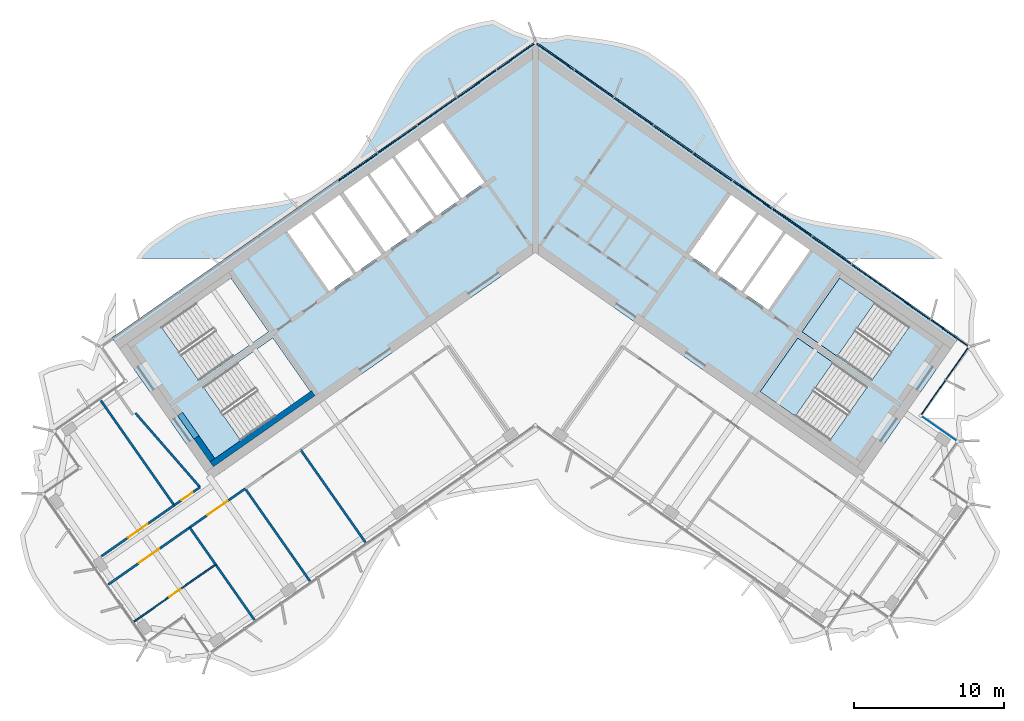
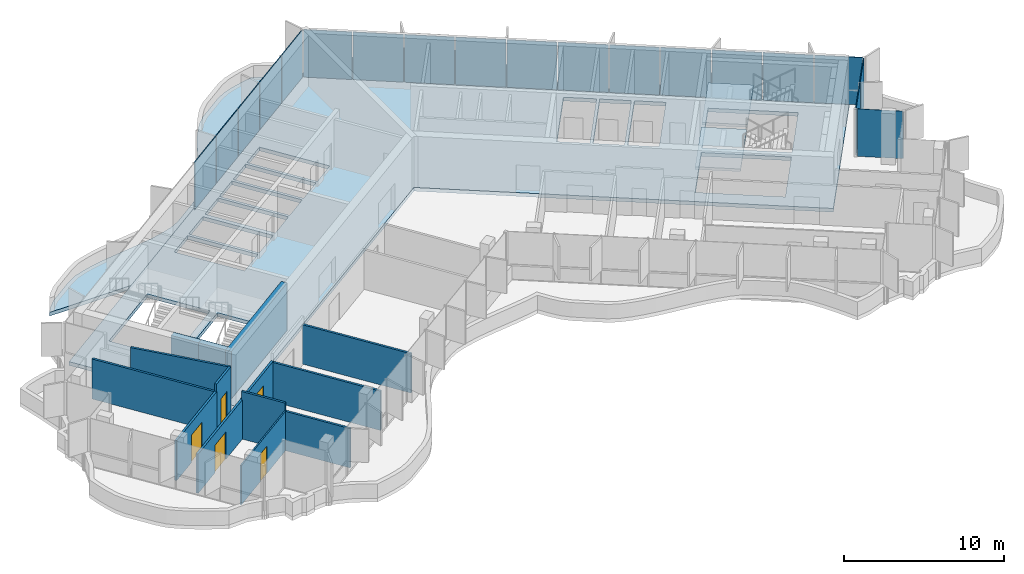
# One storey, part 8 of 17: 19 plates, 14 walls, 5 doors, 4 slabs, 5 openings, 4 elements without a shape of their own.
"""IFC4 building model written with IfcOpenShell, lengths in metres."""

from ifc_helpers import new_model, si_unit, direction, frame, frame_2d, origin, origin_2d, place, context, subcontext, project, spatial, polyline, rectangle, outline, extrude, material, layer, layer_set, type_object, element, fill, aggregate, save


model = new_model("IFC4")

# Units and contexts
model_context = context("Model", 3, precision=1e-05, world=origin(), true_north=direction((0.0, 1.0)))
body_context = subcontext(model_context, "Body", "Model", "MODEL_VIEW")
ifc_project = project(units=[si_unit("LENGTHUNIT", "METRE"), si_unit("AREAUNIT", "SQUARE_METRE"), si_unit("VOLUMEUNIT", "CUBIC_METRE"), si_unit("PLANEANGLEUNIT", "RADIAN"), si_unit("MASSUNIT", "GRAM", prefix="KILO")], contexts=[model_context])

# Site, building, storey
site_placement = place(None, origin())
site = spatial("IfcSite", under=ifc_project, at=site_placement, CompositionType="ELEMENT")
building_placement = place(site_placement, origin())
building = spatial("IfcBuilding", under=site, at=building_placement, Name="Tel Ilan Convention Tower", CompositionType="ELEMENT")
storey_placement = place(building_placement, frame((0.0, 0.0, 283.89990234375)))
storey = spatial("IfcBuildingStorey", under=building, at=storey_placement, Name="L67", CompositionType="ELEMENT", Elevation=283.89990234375)

# Curtain wall, plates
ifc_material_1 = material(Name="Aluminium, bronze anodised", Category="aluminium")
curtain_wall_type_1 = type_object("IfcCurtainWallType", Name="CW2 STICK CURTAIN WALL, SPANDREL PANELS", PredefinedType="NOTDEFINED", material=ifc_material_1)
curtain_wall_1_placement = place(storey_placement, origin())
curtain_wall_1 = element("IfcCurtainWall", 1, at=curtain_wall_1_placement, inside=storey, type_object=curtain_wall_type_1, Name="Curtain wall CW2-50.01", PredefinedType="NOTDEFINED")
ifc_material_2 = material(Name="Aluminium composite panel, bronze anodised", Category="aluminium")
ifc_layer_1 = layer(ifc_material_2, 0.06005859375)
ifc_layer_set_1 = layer_set([ifc_layer_1], Name="CW SPANDREL PANEL 60")
plate_type_1 = type_object("IfcPlateType", Name="CW SPANDREL PANEL 60", PredefinedType="CURTAIN_PANEL", material=ifc_layer_set_1)
plate_1_placement = place(storey_placement, frame((26.45947265625, -10.85400390625, 0.0), z_axis=(0.0, 0.0, 1.0), x_axis=(0.573576436351, 0.819152044289, 0.0)))
plate_1 = element("IfcPlate", 2, at=plate_1_placement, type_object=plate_type_1, Name="Spandrel panel", PredefinedType="CURTAIN_PANEL", context=body_context, shape_type="SweptSolid", body=[
    extrude(rectangle(XDim=2.76904296875, YDim=0.06005859375, at=origin_2d()), origin(), (0.0, 0.0, 1.0), 3.6201171875),
])
plate_2_placement = place(storey_placement, frame((28.042236328125, -8.593505859375, 0.0), z_axis=(0.0, 0.0, 1.0), x_axis=(0.573576436351, 0.819152044289, 0.0)))
plate_2 = element("IfcPlate", 3, at=plate_2_placement, type_object=plate_type_1, Name="Spandrel panel", PredefinedType="CURTAIN_PANEL", context=body_context, shape_type="SweptSolid", body=[
    extrude(rectangle(XDim=2.6298828125, YDim=0.06005859375, at=origin_2d()), origin(), (0.0, 0.0, 1.0), 3.6201171875),
])
plate_3_placement = place(storey_placement, frame((27.5400390625, -6.587646484375, 0.0), z_axis=(0.0, 0.0, 1.0), x_axis=(-0.819152044289, 0.573576436351, 0.0)))
plate_3 = element("IfcPlate", 4, at=plate_3_placement, type_object=plate_type_1, Name="Spandrel panel", PredefinedType="CURTAIN_PANEL", context=body_context, shape_type="SweptSolid", body=[
    extrude(rectangle(XDim=3.0439453125, YDim=0.06005859375, at=origin_2d()), origin(), (0.0, 0.0, 1.0), 3.6201171875),
])
plate_4_placement = place(storey_placement, frame((24.95263671875, -4.77587890625, 0.0), z_axis=(0.0, 0.0, 1.0), x_axis=(-0.819152044289, 0.573576436351, 0.0)))
plate_4 = element("IfcPlate", 5, at=plate_4_placement, type_object=plate_type_1, Name="Spandrel panel", PredefinedType="CURTAIN_PANEL", context=body_context, shape_type="SweptSolid", body=[
    extrude(rectangle(XDim=3.15380859375, YDim=0.06005859375, at=origin_2d()), origin(), (0.0, 0.0, 1.0), 3.6201171875),
])
plate_5_placement = place(storey_placement, frame((22.31982421875, -2.9326171875, 0.0), z_axis=(0.0, 0.0, 1.0), x_axis=(-0.819152044289, 0.573576436351, 0.0)))
plate_5 = element("IfcPlate", 6, at=plate_5_placement, type_object=plate_type_1, Name="Spandrel panel", PredefinedType="CURTAIN_PANEL", context=body_context, shape_type="SweptSolid", body=[
    extrude(rectangle(XDim=3.15380859375, YDim=0.06005859375, at=origin_2d()), origin(), (0.0, 0.0, 1.0), 3.6201171875),
])
plate_6_placement = place(storey_placement, frame((19.687255859375, -1.089111328125, 0.0), z_axis=(0.0, 0.0, 1.0), x_axis=(-0.819152044289, 0.573576436351, 0.0)))
plate_6 = element("IfcPlate", 7, at=plate_6_placement, type_object=plate_type_1, Name="Spandrel panel", PredefinedType="CURTAIN_PANEL", context=body_context, shape_type="SweptSolid", body=[
    extrude(rectangle(XDim=3.15380859375, YDim=0.06005859375, at=origin_2d()), origin(), (0.0, 0.0, 1.0), 3.6201171875),
])
plate_7_placement = place(storey_placement, frame((17.0546875, 0.754150390625, 0.0), z_axis=(0.0, 0.0, 1.0), x_axis=(-0.819152044289, 0.573576436351, 0.0)))
plate_7 = element("IfcPlate", 8, at=plate_7_placement, type_object=plate_type_1, Name="Spandrel panel", PredefinedType="CURTAIN_PANEL", context=body_context, shape_type="SweptSolid", body=[
    extrude(rectangle(XDim=3.15380859375, YDim=0.06005859375, at=origin_2d()), origin(), (0.0, 0.0, 1.0), 3.6201171875),
])
plate_8_placement = place(storey_placement, frame((14.422119140625, 2.59765625, 0.0), z_axis=(0.0, 0.0, 1.0), x_axis=(-0.819152044289, 0.573576436351, 0.0)))
plate_8 = element("IfcPlate", 9, at=plate_8_placement, type_object=plate_type_1, Name="Spandrel panel", PredefinedType="CURTAIN_PANEL", context=body_context, shape_type="SweptSolid", body=[
    extrude(rectangle(XDim=3.15380859375, YDim=0.06005859375, at=origin_2d()), origin(), (0.0, 0.0, 1.0), 3.6201171875),
])
plate_9_placement = place(storey_placement, frame((11.789306640625, 4.44091796875, 0.0), z_axis=(0.0, 0.0, 1.0), x_axis=(-0.819152044289, 0.573576436351, 0.0)))
plate_9 = element("IfcPlate", 10, at=plate_9_placement, type_object=plate_type_1, Name="Spandrel panel", PredefinedType="CURTAIN_PANEL", context=body_context, shape_type="SweptSolid", body=[
    extrude(rectangle(XDim=3.15380859375, YDim=0.06005859375, at=origin_2d()), origin(), (0.0, 0.0, 1.0), 3.6201171875),
])
plate_10_placement = place(storey_placement, frame((9.15673828125, 6.284423828125, 0.0), z_axis=(0.0, 0.0, 1.0), x_axis=(-0.819152044289, 0.573576436351, 0.0)))
plate_10 = element("IfcPlate", 11, at=plate_10_placement, type_object=plate_type_1, Name="Spandrel panel", PredefinedType="CURTAIN_PANEL", context=body_context, shape_type="SweptSolid", body=[
    extrude(rectangle(XDim=3.15380859375, YDim=0.06005859375, at=origin_2d()), origin(), (0.0, 0.0, 1.0), 3.6201171875),
])
plate_11_placement = place(storey_placement, frame((6.524169921875, 8.127685546875, 0.0), z_axis=(0.0, 0.0, 1.0), x_axis=(-0.819152044289, 0.573576436351, 0.0)))
plate_11 = element("IfcPlate", 12, at=plate_11_placement, type_object=plate_type_1, Name="Spandrel panel", PredefinedType="CURTAIN_PANEL", context=body_context, shape_type="SweptSolid", body=[
    extrude(rectangle(XDim=3.15380859375, YDim=0.06005859375, at=origin_2d()), origin(), (0.0, 0.0, 1.0), 3.6201171875),
])
plate_12_placement = place(storey_placement, frame((3.8916015625, 9.97119140625, 0.0), z_axis=(0.0, 0.0, 1.0), x_axis=(-0.819152044289, 0.573576436351, 0.0)))
plate_12 = element("IfcPlate", 13, at=plate_12_placement, type_object=plate_type_1, Name="Spandrel panel", PredefinedType="CURTAIN_PANEL", context=body_context, shape_type="SweptSolid", body=[
    extrude(rectangle(XDim=3.15380859375, YDim=0.06005859375, at=origin_2d()), origin(), (0.0, 0.0, 1.0), 3.6201171875),
])
plate_13_placement = place(storey_placement, frame((1.303955078125, 11.782958984375, 0.0), z_axis=(0.0, 0.0, 1.0), x_axis=(-0.819152044289, 0.573576436351, 0.0)))
plate_13 = element("IfcPlate", 14, at=plate_13_placement, type_object=plate_type_1, Name="Spandrel panel", PredefinedType="CURTAIN_PANEL", context=body_context, shape_type="SweptSolid", body=[
    extrude(rectangle(XDim=3.0439453125, YDim=0.06005859375, at=origin_2d()), origin(), (0.0, 0.0, 1.0), 3.6201171875),
])
plate_14_placement = place(storey_placement, frame((-1.303955078125, 11.782958984375, 0.0), z_axis=(0.0, 0.0, 1.0), x_axis=(-0.819152044289, -0.573576436351, 0.0)))
plate_14 = element("IfcPlate", 15, at=plate_14_placement, type_object=plate_type_1, Name="Spandrel panel", PredefinedType="CURTAIN_PANEL", context=body_context, shape_type="SweptSolid", body=[
    extrude(rectangle(XDim=3.0439453125, YDim=0.06005859375, at=origin_2d()), origin(), (0.0, 0.0, 1.0), 3.6201171875),
])
plate_15_placement = place(storey_placement, frame((-3.8916015625, 9.97119140625, 0.0), z_axis=(0.0, 0.0, 1.0), x_axis=(-0.819152044289, -0.573576436351, 0.0)))
plate_15 = element("IfcPlate", 16, at=plate_15_placement, type_object=plate_type_1, Name="Spandrel panel", PredefinedType="CURTAIN_PANEL", context=body_context, shape_type="SweptSolid", body=[
    extrude(rectangle(XDim=3.15380859375, YDim=0.06005859375, at=origin_2d()), origin(), (0.0, 0.0, 1.0), 3.6201171875),
])
plate_16_placement = place(storey_placement, frame((-6.524169921875, 8.127685546875, 0.0), z_axis=(0.0, 0.0, 1.0), x_axis=(-0.819152044289, -0.573576436351, 0.0)))
plate_16 = element("IfcPlate", 17, at=plate_16_placement, type_object=plate_type_1, Name="Spandrel panel", PredefinedType="CURTAIN_PANEL", context=body_context, shape_type="SweptSolid", body=[
    extrude(rectangle(XDim=3.15380859375, YDim=0.06005859375, at=origin_2d()), origin(), (0.0, 0.0, 1.0), 3.6201171875),
])
plate_17_placement = place(storey_placement, frame((-9.15673828125, 6.284423828125, 0.0), z_axis=(0.0, 0.0, 1.0), x_axis=(-0.819152044289, -0.573576436351, 0.0)))
plate_17 = element("IfcPlate", 18, at=plate_17_placement, type_object=plate_type_1, Name="Spandrel panel", PredefinedType="CURTAIN_PANEL", context=body_context, shape_type="SweptSolid", body=[
    extrude(rectangle(XDim=3.15380859375, YDim=0.06005859375, at=origin_2d()), origin(), (0.0, 0.0, 1.0), 3.6201171875),
])
plate_18_placement = place(storey_placement, frame((-11.789306640625, 4.44091796875, 0.0), z_axis=(0.0, 0.0, 1.0), x_axis=(-0.819152044289, -0.573576436351, 0.0)))
plate_18 = element("IfcPlate", 19, at=plate_18_placement, type_object=plate_type_1, Name="Spandrel panel", PredefinedType="CURTAIN_PANEL", context=body_context, shape_type="SweptSolid", body=[
    extrude(rectangle(XDim=3.15380859375, YDim=0.06005859375, at=origin_2d()), origin(), (0.0, 0.0, 1.0), 3.6201171875),
])
aggregate(curtain_wall_1, [plate_1, plate_2, plate_3, plate_4, plate_5, plate_6, plate_7, plate_8, plate_9, plate_10, plate_11, plate_12, plate_13, plate_14, plate_15, plate_16, plate_17, plate_18])

# Curtain wall, plate
ifc_material_3 = material(Name="Aluminium, bronze anodised", Category="aluminium")
curtain_wall_type_2 = type_object("IfcCurtainWallType", Name="CW5 STICK CURTAIN WALL, UPPER OFFICE LOW-IRON TINTED GLASS", PredefinedType="NOTDEFINED", material=ifc_material_3)
curtain_wall_2_placement = place(storey_placement, origin())
curtain_wall_2 = element("IfcCurtainWall", 20, at=curtain_wall_2_placement, inside=storey, type_object=curtain_wall_type_2, Name="Curtain wall CW5-50.02", PredefinedType="NOTDEFINED")
ifc_material_4 = material(Name="Glass, low-iron bronze tinted, two-ply", Category="glass")
ifc_layer_2 = layer(ifc_material_4, 0.031982421875)
ifc_layer_set_2 = layer_set([ifc_layer_2], Name="CW UPPER GLASS PANEL 32")
plate_type_2 = type_object("IfcPlateType", Name="CW UPPER GLASS PANEL 32", PredefinedType="CURTAIN_PANEL", material=ifc_layer_set_2)
plate_19_placement = place(storey_placement, frame((26.86767578125, -12.953369140625, 0.0), z_axis=(0.0, 0.0, 1.0), x_axis=(-0.819152044289, 0.573576436351, 0.0)))
plate_19 = element("IfcPlate", 21, at=plate_19_placement, type_object=plate_type_2, Name="Glass panel", PredefinedType="CURTAIN_PANEL", context=body_context, shape_type="SweptSolid", body=[
    extrude(rectangle(XDim=2.875, YDim=0.028076171875, at=origin_2d()), origin(), (0.0, 0.0, 1.0), 3.6201171875),
])
aggregate(curtain_wall_2, [plate_19])

# Stair, slab
ifc_material_5 = material(Name="Concrete C40/50", Category="concrete")
stair_type = type_object("IfcStairType", Name="Pressurised Exit Stair 22 risers 177 mm", PredefinedType="HALF_TURN_STAIR", material=ifc_material_5)
stair_1_placement = place(storey_placement, origin())
stair_1 = element("IfcStair", 22, at=stair_1_placement, inside=storey, type_object=stair_type, Name="L67 Pressurised Stair S3", PredefinedType="HALF_TURN_STAIR")
ifc_material_6 = material(Name="Concrete C40/50", Category="concrete")
ifc_layer_3 = layer(ifc_material_6, 0.199951171875)
ifc_layer_set_3 = layer_set([ifc_layer_3], Name="Concrete Stair Landing 200 mm C40/50")
slab_type_1 = type_object("IfcSlabType", Name="Concrete Stair Landing 200 mm", PredefinedType="LANDING", material=ifc_layer_set_3)
slab_1_placement = place(storey_placement, frame((0.0, 0.0, 1.75)))
slab_1 = element("IfcSlab", 23, at=slab_1_placement, type_object=slab_type_1, Name="S3 landing 1", PredefinedType="LANDING", context=body_context, shape_type="SweptSolid", body=[
    extrude(outline(polyline([(22.561767578125, -4.566650390625), (20.226318359375, -2.931640625), (17.7314453125, -6.494873046875), (20.066650390625, -8.130126953125), (22.561767578125, -4.566650390625)])), origin(), (0.0, 0.0, 1.0), 0.2001953125),
])
aggregate(stair_1, [slab_1])

stair_2_placement = place(storey_placement, origin())
stair_2 = element("IfcStair", 24, at=stair_2_placement, inside=storey, type_object=stair_type, Name="L67 Pressurised Stair S4", PredefinedType="HALF_TURN_STAIR")
slab_2_placement = place(storey_placement, frame((0.0, 0.0, 1.75)))
slab_2 = element("IfcSlab", 25, at=slab_2_placement, type_object=slab_type_1, Name="S4 landing 1", PredefinedType="LANDING", context=body_context, shape_type="SweptSolid", body=[
    extrude(outline(polyline([(19.77978515625, -8.53955078125), (17.444580078125, -6.904541015625), (14.949462890625, -10.4677734375), (17.28466796875, -12.10302734375), (19.77978515625, -8.53955078125)])), origin(), (0.0, 0.0, 1.0), 0.2001953125),
])
aggregate(stair_2, [slab_2])

# Slabs
ifc_material_7 = material(Name="Concrete C40/50", Category="concrete")
ifc_layer_4 = layer(ifc_material_7, 0.280029296875)
ifc_layer_set_4 = layer_set([ifc_layer_4], Name="Core Floor Slab 280 mm C40/50")
slab_type_2 = type_object("IfcSlabType", Name="Core Floor Slab 280 mm C40/50", PredefinedType="FLOOR", material=ifc_layer_set_4)
slab_3_placement = place(storey_placement, frame((0.0, 0.0, -0.27978515625)))
element("IfcSlab", 26, at=slab_3_placement, inside=storey, type_object=slab_type_2, Name="L67 core floor 1", PredefinedType="FLOOR", context=body_context, shape_type="SweptSolid", body=[
    extrude(outline(polyline([(0.0, 12.818115234375), (28.1396484375, -6.885498046875), (21.54345703125, -16.3056640625), (0.0, -1.220703125), (-21.54345703125, -16.3056640625), (-28.1396484375, -6.885498046875), (-13.013916015625, 3.705810546875), (-6.48876953125, 8.274658203125), (-4.6650390625, 9.5517578125), (-0.2412109375, 12.6494140625), (0.0, 12.818115234375)]), holes=[polyline([(-17.444580078125, -6.904541015625), (-22.072021484375, -10.144775390625), (-19.5771484375, -13.7080078125), (-14.949462890625, -10.4677734375), (-17.444580078125, -6.904541015625)]), polyline([(-17.7314453125, -6.494873046875), (-20.226318359375, -2.931640625), (-24.85400390625, -6.171875), (-22.35888671875, -9.735107421875), (-17.7314453125, -6.494873046875)]), polyline([(-14.864990234375, 1.310791015625), (-16.48291015625, 0.177978515625), (-13.701171875, -3.794921875), (-12.083251953125, -2.662109375), (-14.864990234375, 1.310791015625)]), polyline([(-14.701416015625, 1.425537109375), (-11.91943359375, -2.54736328125), (-10.2197265625, -1.357421875), (-13.001708984375, 2.615478515625), (-14.701416015625, 1.425537109375)]), polyline([(-11.168701171875, 3.89892578125), (-12.755859375, 2.78759765625), (-9.97412109375, -1.185302734375), (-8.386962890625, -0.073974609375), (-11.168701171875, 3.89892578125)]), polyline([(-9.499755859375, 5.067626953125), (-11.0048828125, 4.013671875), (-8.222900390625, 0.040771484375), (-6.718017578125, 1.0947265625), (-9.499755859375, 5.067626953125)]), polyline([(-9.3359375, 5.182373046875), (-6.553955078125, 1.20947265625), (-5.048828125, 2.263427734375), (-7.830810546875, 6.236328125), (-9.3359375, 5.182373046875)]), polyline([(17.444580078125, -6.904541015625), (14.949462890625, -10.4677734375), (19.5771484375, -13.7080078125), (22.072021484375, -10.144775390625), (17.444580078125, -6.904541015625)]), polyline([(20.226318359375, -2.931640625), (17.7314453125, -6.494873046875), (22.35888671875, -9.735107421875), (24.85400390625, -6.171875), (20.226318359375, -2.931640625)]), polyline([(15.48291015625, -5.04248046875), (18.2646484375, -1.069580078125), (16.646728515625, 0.063232421875), (13.864990234375, -3.90966796875), (15.48291015625, -5.04248046875)]), polyline([(13.701171875, -3.794921875), (16.48291015625, 0.177978515625), (14.864990234375, 1.310791015625), (12.083251953125, -2.662109375), (13.701171875, -3.794921875)]), polyline([(11.91943359375, -2.54736328125), (14.701416015625, 1.425537109375), (13.001708984375, 2.615478515625), (10.2197265625, -1.357421875), (11.91943359375, -2.54736328125)]), polyline([(-6.16162109375, 7.405029296875), (-7.666748046875, 6.35107421875), (-4.885009765625, 2.378173828125), (-3.3798828125, 3.43212890625), (-6.16162109375, 7.405029296875)])]), origin(), (0.0, 0.0, 1.0), 0.27978515625),
])
ifc_material_8 = material(Name="Concrete C40/50", Category="concrete")
ifc_layer_5 = layer(ifc_material_8, 0.280029296875)
ifc_layer_set_5 = layer_set([ifc_layer_5], Name="Edge Ledge Slab 280 mm C40/50")
slab_type_3 = type_object("IfcSlabType", Name="Edge Ledge Slab 280 mm C40/50", PredefinedType="FLOOR", material=ifc_layer_set_5)
slab_4_placement = place(storey_placement, frame((0.0, 0.0, -0.27978515625)))
element("IfcSlab", 27, at=slab_4_placement, inside=storey, type_object=slab_type_3, Name="L67 edge ledge 2", PredefinedType="FLOOR", context=body_context, shape_type="SweptSolid", body=[
    extrude(outline(polyline([(-23.1982421875, 1.006591796875), (-22.4697265625, 1.250244140625), (-21.705322265625, 1.44287109375), (-20.91259765625, 1.594482421875), (-20.099365234375, 1.71728515625), (-19.275146484375, 1.824462890625), (-18.44970703125, 1.9296875), (-17.6328125, 2.047119140625), (-16.833984375, 2.18994140625), (-16.0615234375, 2.37109375), (-15.3232421875, 2.6005859375), (-14.651611328125, 2.92529296875), (-12.841552734375, 4.192626953125), (-12.284912109375, 4.681640625), (-11.809326171875, 5.28662109375), (-11.369140625, 5.94189453125), (-10.956787109375, 6.63720703125), (-10.564453125, 7.36083984375), (-10.182373046875, 8.09912109375), (-9.80078125, 8.83837890625), (-9.410400390625, 9.564697265625), (-9.001220703125, 10.264404296875), (-8.56494140625, 10.925537109375), (-8.094482421875, 11.53759765625), (-7.552001953125, 12.047119140625), (-5.7421875, 13.314208984375), (-5.0849609375, 13.66015625), (-4.3515625, 13.896484375), (-3.5830078125, 14.083251953125), (-2.785888671875, 14.228515625), (-1.357666015625, 13.472900390625), (-0.172119140625, 13.06396484375), (-0.168701171875, 13.05908203125), (-0.11474609375, 13.09521484375), (0.0, 13.1181640625), (0.11474609375, 13.09521484375), (0.168701171875, 13.05908203125), (0.172119140625, 13.06396484375), (1.02001953125, 12.99072265625), (2.08935546875, 13.234130859375), (2.913818359375, 13.12744140625), (3.739501953125, 13.0224609375), (4.55712890625, 12.90625), (5.357666015625, 12.765380859375), (6.132080078125, 12.587158203125), (6.872802734375, 12.361083984375), (7.552001953125, 12.047119140625), (9.36181640625, 10.77978515625), (9.925537109375, 10.300537109375), (10.403564453125, 9.69921875), (10.845947265625, 9.046875), (11.259521484375, 8.353515625), (11.653076171875, 7.631591796875), (12.035400390625, 6.893798828125), (12.416748046875, 6.154052734375), (12.806396484375, 5.426513671875), (13.214111328125, 4.724609375), (13.648193359375, 4.060791015625), (14.116455078125, 3.4453125), (14.651611328125, 2.92529296875), (16.46142578125, 1.657958984375), (17.111328125, 1.30224609375), (17.84228515625, 1.062255859375), (18.60888671875, 0.87255859375), (19.4033203125, 0.72314453125), (20.21728515625, 0.601806640625), (21.0419921875, 0.495361328125), (21.8671875, 0.3896484375), (22.68310546875, 0.27099609375), (23.480712890625, 0.1259765625), (24.2509765625, -0.057861328125), (24.987060546875, -0.290771484375), (25.6513671875, -0.626220703125), (27.087158203125, -1.631591796875), (20.63623046875, -1.631591796875), (0.0, 12.818115234375), (-20.63623046875, -1.631591796875), (-26.535888671875, -1.631591796875), (-26.1787109375, -1.156982421875), (-25.6513671875, -0.626220703125), (-23.84130859375, 0.64111328125), (-23.1982421875, 1.006591796875)])), origin(), (0.0, 0.0, 1.0), 0.27978515625),
])

# Wall, opening, door
ifc_material_9 = material(Name="Plasterboard on Steel Studs", Category="steel")
ifc_layer_6 = layer(ifc_material_9, 0.14990234375)
ifc_layer_set_6 = layer_set([ifc_layer_6], Name="Fire-rated Partition 150 EI 60")
wall_type_1 = type_object("IfcWallType", Name="Fire-rated Partition 150 EI 60", PredefinedType="PARTITIONING", material=ifc_layer_set_6)
wall_1_placement = place(storey_placement, frame((-24.002685546875, -18.027587890625, 0.0), z_axis=(0.0, 0.0, 1.0), x_axis=(0.819182738768, 0.573532597595, 0.0)))
wall_1 = element("IfcWall", 28, at=wall_1_placement, inside=storey, type_object=wall_type_1, Name="Partition 007", PredefinedType="PARTITIONING", context=body_context, shape_type="SweptSolid", body=[
    extrude(rectangle(XDim=2.09912109375, YDim=0.14990234375, at=frame_2d((1.049560546875, 0.0))), origin(), (0.0, 0.0, 1.0), 3.6201171875),
])
opening_1_placement = place(wall_1_placement, frame((0.599609375, 0.0, 0.0)))
opening_1 = element("IfcOpeningElement", 29, at=opening_1_placement, cuts=wall_1, Name="Opening L65-007", PredefinedType="OPENING", context=body_context, shape_type="SweptSolid", body=[
    extrude(rectangle(XDim=0.89990234375, YDim=2.10009765625, at=frame_2d((0.449951171875, 1.050048828125))), frame((0.0, 0.0849609375, 0.0), z_axis=(0.0, -1.0, 0.0), x_axis=(1.0, 0.0, 0.0)), (0.0, 0.0, 1.0), 0.169921875),
])
ifc_material_10 = material(Name="Timber Door Leaf in Steel Frame", Category="steel")
door_type_1 = type_object("IfcDoorType", Name="Room Fire Door 900x2100", OperationType="NOTDEFINED", PredefinedType="DOOR", material=ifc_material_10)
door_1_placement = place(opening_1_placement, origin())
door_1 = element("IfcDoor", 30, at=door_1_placement, inside=storey, type_object=door_type_1, Name="Door L65-007", OperationType="SINGLE_SWING_LEFT", OverallHeight=2.10009765625, OverallWidth=0.89990234375, PredefinedType="DOOR", context=body_context, shape_type="SweptSolid", body=[
    extrude(rectangle(XDim=0.89990234375, YDim=2.10009765625, at=frame_2d((0.449951171875, 1.050048828125))), frame((0.0, 0.02490234375, 0.0), z_axis=(0.0, -1.0, 0.0), x_axis=(1.0, 0.0, 0.0)), (0.0, 0.0, 1.0), 0.050048828125),
])
fill(opening_1, door_1)

wall_2_placement = place(storey_placement, frame((-28.833984375, -21.41064453125, 0.0), z_axis=(0.0, 0.0, 1.0), x_axis=(0.819156123335, 0.573570610825, 0.0)))
wall_2 = element("IfcWall", 31, at=wall_2_placement, inside=storey, type_object=wall_type_1, Name="Partition 008", PredefinedType="PARTITIONING", context=body_context, shape_type="SweptSolid", body=[
    extrude(rectangle(XDim=5.902099609375, YDim=0.14990234375, at=frame_2d((2.951171875, 0.0))), origin(), (0.0, 0.0, 1.0), 3.050048828125),
])
opening_2_placement = place(wall_2_placement, frame((2.15087890625, 0.0, 0.0)))
opening_2 = element("IfcOpeningElement", 32, at=opening_2_placement, cuts=wall_2, Name="Opening L65-008", PredefinedType="OPENING", context=body_context, shape_type="SweptSolid", body=[
    extrude(rectangle(XDim=1.60009765625, YDim=2.10009765625, at=frame_2d((0.800048828125, 1.050048828125))), frame((0.0, 0.0849609375, 0.0), z_axis=(0.0, -1.0, 0.0), x_axis=(1.0, 0.0, 0.0)), (0.0, 0.0, 1.0), 0.169921875),
])
ifc_material_11 = material(Name="Timber Door Leaf in Steel Frame", Category="steel")
door_type_2 = type_object("IfcDoorType", Name="Tenant Suite Entrance Fire Door 1600x2100", OperationType="NOTDEFINED", PredefinedType="DOOR", material=ifc_material_11)
door_2_placement = place(opening_2_placement, origin())
door_2 = element("IfcDoor", 33, at=door_2_placement, inside=storey, type_object=door_type_2, Name="Door L65-008", OperationType="DOUBLE_DOOR_SINGLE_SWING", OverallHeight=2.10009765625, OverallWidth=1.60009765625, PredefinedType="DOOR", context=body_context, shape_type="SweptSolid", body=[
    extrude(rectangle(XDim=1.60009765625, YDim=2.10009765625, at=frame_2d((0.800048828125, 1.050048828125))), frame((0.0, 0.02490234375, 0.0), z_axis=(0.0, -1.0, 0.0), x_axis=(1.0, 0.0, 0.0)), (0.0, 0.0, 1.0), 0.050048828125),
])
fill(opening_2, door_2)

wall_3_placement = place(storey_placement, frame((-19.28076171875, -16.918701171875, 0.0), z_axis=(0.0, 0.0, 1.0), x_axis=(-0.819140235121, -0.573593301221, 0.0)))
wall_3 = element("IfcWall", 34, at=wall_3_placement, inside=storey, type_object=wall_type_1, Name="Partition 012", PredefinedType="PARTITIONING", context=body_context, shape_type="SweptSolid", body=[
    extrude(rectangle(XDim=4.504150390625, YDim=0.14990234375, at=frame_2d((2.251953125, 0.0))), origin(), (0.0, 0.0, 1.0), 3.050048828125),
])
opening_3_placement = place(wall_3_placement, frame((1.451904296875, 0.0, 0.0)))
opening_3 = element("IfcOpeningElement", 35, at=opening_3_placement, cuts=wall_3, Name="Opening L65-004", PredefinedType="OPENING", context=body_context, shape_type="SweptSolid", body=[
    extrude(rectangle(XDim=1.60009765625, YDim=2.10009765625, at=frame_2d((0.800048828125, 1.050048828125))), frame((0.0, 0.0849609375, 0.0), z_axis=(0.0, -1.0, 0.0), x_axis=(1.0, 0.0, 0.0)), (0.0, 0.0, 1.0), 0.169921875),
])
door_3_placement = place(opening_3_placement, origin())
door_3 = element("IfcDoor", 36, at=door_3_placement, inside=storey, type_object=door_type_2, Name="Door L65-004", OperationType="DOUBLE_DOOR_SINGLE_SWING", OverallHeight=2.10009765625, OverallWidth=1.60009765625, PredefinedType="DOOR", context=body_context, shape_type="SweptSolid", body=[
    extrude(rectangle(XDim=1.60009765625, YDim=2.10009765625, at=frame_2d((0.800048828125, 1.050048828125))), frame((0.0, 0.02490234375, 0.0), z_axis=(0.0, -1.0, 0.0), x_axis=(1.0, 0.0, 0.0)), (0.0, 0.0, 1.0), 0.050048828125),
])
fill(opening_3, door_3)

wall_4_placement = place(storey_placement, frame((-22.966796875, -19.499755859375, 0.0), z_axis=(0.0, 0.0, 1.0), x_axis=(-0.81915199888, -0.573576501202, 0.0)))
wall_4 = element("IfcWall", 37, at=wall_4_placement, inside=storey, type_object=wall_type_1, Name="Partition 013", PredefinedType="PARTITIONING", context=body_context, shape_type="SweptSolid", body=[
    extrude(rectangle(XDim=6.602294921875, YDim=0.14990234375, at=frame_2d((3.30126953125, 0.0))), origin(), (0.0, 0.0, 1.0), 3.0),
])
opening_4_placement = place(wall_4_placement, frame((2.5009765625, 0.0, 0.0)))
opening_4 = element("IfcOpeningElement", 38, at=opening_4_placement, cuts=wall_4, Name="Opening L65-005", PredefinedType="OPENING", context=body_context, shape_type="SweptSolid", body=[
    extrude(rectangle(XDim=1.60009765625, YDim=2.10009765625, at=frame_2d((0.800048828125, 1.050048828125))), frame((0.0, 0.0849609375, 0.0), z_axis=(0.0, -1.0, 0.0), x_axis=(1.0, 0.0, 0.0)), (0.0, 0.0, 1.0), 0.169921875),
])
door_4_placement = place(opening_4_placement, origin())
door_4 = element("IfcDoor", 39, at=door_4_placement, inside=storey, type_object=door_type_2, Name="Door L65-005", OperationType="DOUBLE_DOOR_SINGLE_SWING", OverallHeight=2.10009765625, OverallWidth=1.60009765625, PredefinedType="DOOR", context=body_context, shape_type="SweptSolid", body=[
    extrude(rectangle(XDim=1.60009765625, YDim=2.10009765625, at=frame_2d((0.800048828125, 1.050048828125))), frame((0.0, 0.02490234375, 0.0), z_axis=(0.0, -1.0, 0.0), x_axis=(1.0, 0.0, 0.0)), (0.0, 0.0, 1.0), 0.050048828125),
])
fill(opening_4, door_4)

# Walls
wall_5_placement = place(storey_placement, frame((-22.28369140625, -16.826416015625, 0.0), z_axis=(0.0, 0.0, 1.0), x_axis=(-0.656758142177, 0.754101281449, 0.0)))
element("IfcWall", 40, at=wall_5_placement, inside=storey, type_object=wall_type_1, Name="Partition 023", PredefinedType="PARTITIONING", context=body_context, shape_type="SweptSolid", body=[
    extrude(rectangle(XDim=6.53857421875, YDim=0.14990234375, at=frame_2d((3.269287109375, 0.0))), origin(), (0.0, 0.0, 1.0), 3.6201171875),
])
wall_6_placement = place(storey_placement, frame((-24.0009765625, -18.0263671875, 0.0), z_axis=(0.0, 0.0, 1.0), x_axis=(-0.573591492816, 0.819141501433, 0.0)))
element("IfcWall", 41, at=wall_6_placement, inside=storey, type_object=wall_type_1, Name="Partition 024", PredefinedType="PARTITIONING", context=body_context, shape_type="SweptSolid", body=[
    extrude(rectangle(XDim=8.5, YDim=0.14990234375, at=frame_2d((4.25, 0.0))), origin(), (0.0, 0.0, 1.0), 3.050048828125),
])
for number, where, z_axis, x_axis, name in (
    (42, (-11.29443359375, -20.482421875, 0.0), (0.0, 0.0, 1.0), (-0.573560650686, 0.819163097304, 0.0), "Partition 026"),
    (43, (-14.98046875, -23.0634765625, 0.0), (0.0, 0.0, 1.0), (-0.573597787563, 0.819137093595, 0.0), "Partition 027"),
):
    element("IfcWall", number, at=place(storey_placement, frame(where, z_axis=z_axis, x_axis=x_axis)), inside=storey, type_object=wall_type_1, Name=name, PredefinedType="PARTITIONING", context=body_context, shape_type="SweptSolid", body=[
        extrude(rectangle(XDim=7.5, YDim=0.14990234375, at=frame_2d((3.75, 0.0))), origin(), (0.0, 0.0, 1.0), 3.0),
    ])
wall_7_placement = place(storey_placement, frame((-18.666748046875, -25.64453125, 0.0), z_axis=(0.0, 0.0, 1.0), x_axis=(-0.573556991349, 0.819165659482, 0.0)))
element("IfcWall", 44, at=wall_7_placement, inside=storey, type_object=wall_type_1, Name="Partition 028", PredefinedType="PARTITIONING", context=body_context, shape_type="SweptSolid", body=[
    extrude(rectangle(XDim=4.5009765625, YDim=0.14990234375, at=frame_2d((2.25048828125, 0.0))), origin(), (0.0, 0.0, 1.0), 3.0),
])
wall_8_placement = place(storey_placement, frame((-21.24658203125, -21.9599609375, 0.0), z_axis=(0.0, 0.0, 1.0), x_axis=(-0.573604249862, 0.819132568355, 0.0)))
element("IfcWall", 45, at=wall_8_placement, inside=storey, type_object=wall_type_1, Name="Partition 029", PredefinedType="PARTITIONING", context=body_context, shape_type="SweptSolid", body=[
    extrude(rectangle(XDim=3.001953125, YDim=0.14990234375, at=frame_2d((1.5009765625, 0.0))), origin(), (0.0, 0.0, 1.0), 3.6201171875),
])

# Wall, opening, door
ifc_material_12 = material(Name="Plasterboard on Steel Studs", Category="steel")
ifc_layer_7 = layer(ifc_material_12, 0.10009765625)
ifc_layer_set_7 = layer_set([ifc_layer_7], Name="Plasterboard Partition 100")
wall_type_2 = type_object("IfcWallType", Name="Plasterboard Partition 100", PredefinedType="PARTITIONING", material=ifc_layer_set_7)
wall_9_placement = place(storey_placement, frame((-21.247314453125, -21.959228515625, 0.0), z_axis=(0.0, 0.0, 1.0), x_axis=(-0.819141541656, -0.573591435374, 0.0)))
wall_9 = element("IfcWall", 46, at=wall_9_placement, inside=storey, type_object=wall_type_2, Name="Partition 030", PredefinedType="PARTITIONING", context=body_context, shape_type="SweptSolid", body=[
    extrude(rectangle(XDim=6.599853515625, YDim=0.10009765625, at=frame_2d((3.2998046875, 0.0))), origin(), (0.0, 0.0, 1.0), 3.0),
])
opening_5_placement = place(wall_9_placement, frame((2.85009765625, 0.0, 0.0)))
opening_5 = element("IfcOpeningElement", 47, at=opening_5_placement, cuts=wall_9, Name="Opening L65-006", PredefinedType="OPENING", context=body_context, shape_type="SweptSolid", body=[
    extrude(rectangle(XDim=0.89990234375, YDim=2.10009765625, at=frame_2d((0.449951171875, 1.050048828125))), frame((0.0, 0.06005859375, 0.0), z_axis=(0.0, -1.0, 0.0), x_axis=(1.0, 0.0, 0.0)), (0.0, 0.0, 1.0), 0.1201171875),
])
ifc_material_13 = material(Name="Timber Door Leaf in Steel Frame", Category="steel")
door_type_3 = type_object("IfcDoorType", Name="Room Timber Door 900x2100", OperationType="NOTDEFINED", PredefinedType="DOOR", material=ifc_material_13)
door_5_placement = place(opening_5_placement, origin())
door_5 = element("IfcDoor", 48, at=door_5_placement, inside=storey, type_object=door_type_3, Name="Door L65-006", OperationType="SINGLE_SWING_LEFT", OverallHeight=2.10009765625, OverallWidth=0.89990234375, PredefinedType="DOOR", context=body_context, shape_type="SweptSolid", body=[
    extrude(rectangle(XDim=0.89990234375, YDim=2.10009765625, at=frame_2d((0.449951171875, 1.050048828125))), frame((0.0, 0.02490234375, 0.0), z_axis=(0.0, -1.0, 0.0), x_axis=(1.0, 0.0, 0.0)), (0.0, 0.0, 1.0), 0.050048828125),
])
fill(opening_5, door_5)

# Walls
ifc_material_14 = material(Name="Concrete C30/37", Category="concrete")
ifc_layer_8 = layer(ifc_material_14, 0.39990234375)
ifc_layer_set_8 = layer_set([ifc_layer_8], Name="Stair and Shaft Lining Wall 400 mm C30/37")
wall_type_3 = type_object("IfcWallType", Name="Stair and Shaft Lining Wall 400 mm C30/37", PredefinedType="SOLIDWALL", material=ifc_layer_set_8)
wall_10_placement = place(storey_placement, frame((-14.7529296875, -10.57421875, 0.0), z_axis=(0.0, 0.0, 1.0), x_axis=(-0.819158229677, -0.573567602601, 0.0)))
element("IfcWall", 49, at=wall_10_placement, inside=storey, type_object=wall_type_3, Name="L67 core wall lining-S2-t0", PredefinedType="SOLIDWALL", context=body_context, shape_type="SweptSolid", body=[
    extrude(rectangle(XDim=8.25, YDim=0.39990234375, at=frame_2d((4.125, 0.0))), origin(), (0.0, 0.0, 1.0), 3.6201171875),
])
wall_11_placement = place(storey_placement, frame((-21.4619140625, -15.027587890625, 0.0), z_axis=(0.0, 0.0, 1.0), x_axis=(-0.573559770908, 0.819163713305, 0.0)))
element("IfcWall", 50, at=wall_11_placement, inside=storey, type_object=wall_type_3, Name="L67 core wall lining-S2-u1-0", PredefinedType="SOLIDWALL", context=body_context, shape_type="SweptSolid", body=[
    extrude(rectangle(XDim=1.849853515625, YDim=0.39990234375, at=frame_2d((0.9248046875, 0.0))), origin(), (0.0, 0.0, 1.0), 3.6201171875),
])
wall_12_placement = place(storey_placement, frame((-22.52294921875, -13.51220703125, 2.150146484375), z_axis=(0.0, 0.0, 1.0), x_axis=(-0.573591692345, 0.819141361715, 0.0)))
element("IfcWall", 51, at=wall_12_placement, inside=storey, type_object=wall_type_3, Name="L67 core wall lining-S2-u1-lintel", PredefinedType="SOLIDWALL", context=body_context, shape_type="SweptSolid", body=[
    extrude(rectangle(XDim=1.900146484375, YDim=0.39990234375, at=frame_2d((0.9501953125, 0.0))), origin(), (0.0, 0.0, 1.0), 1.469970703125),
])

save(model, "model.ifc")
